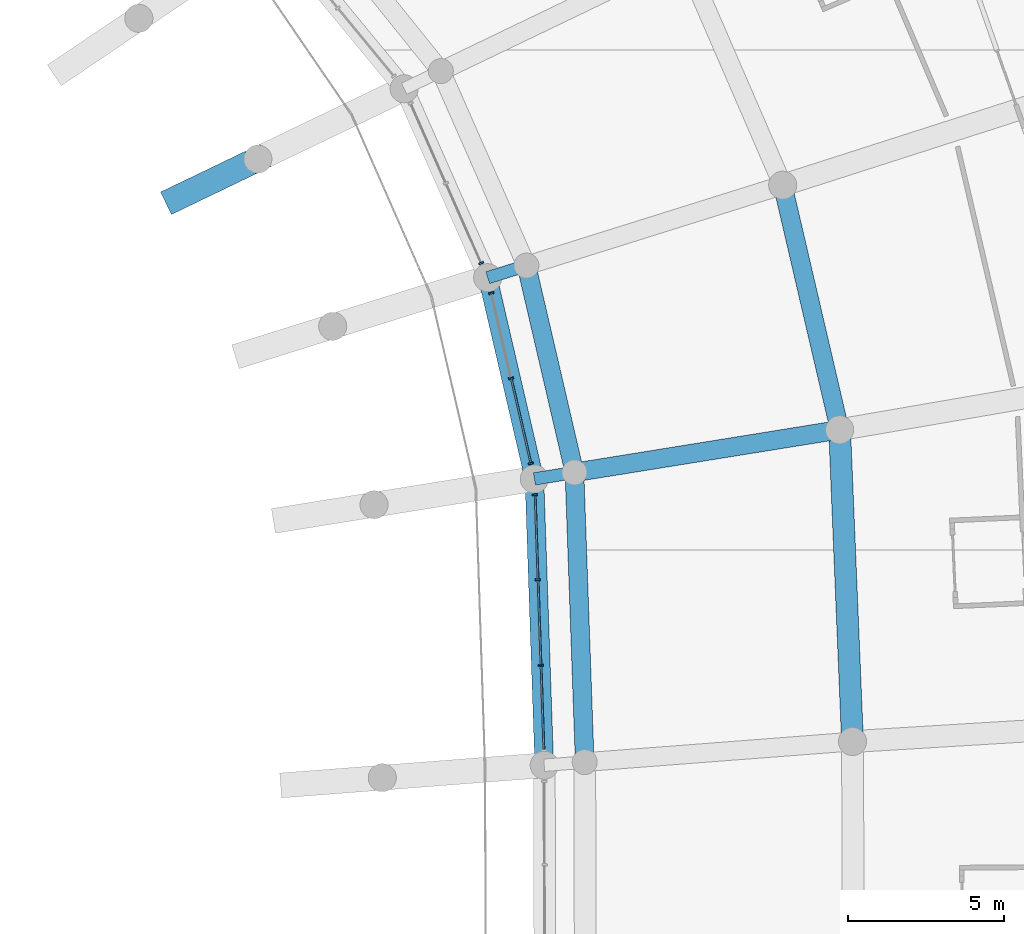
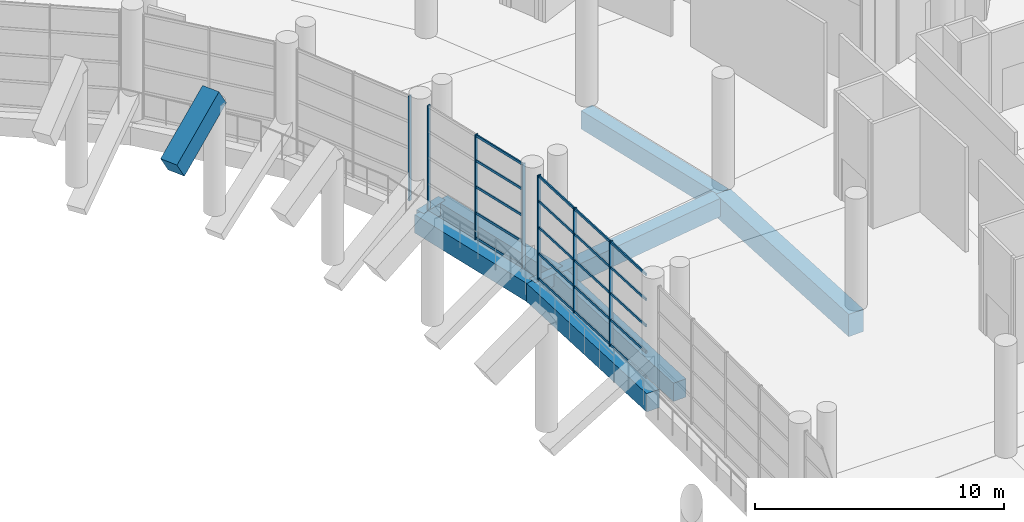
# One storey, part 94 of 271: 27 members, 10 beams, 3 elements without a shape of their own.
"""IFC4 building model written with IfcOpenShell, lengths in metres."""

from ifc_helpers import new_model, si_unit, direction, frame, origin, origin_2d, place, context, subcontext, project, spatial, rectangle, extrude, material, layer, layer_set, material_profile, profile_set, type_object, element, aggregate, save


model = new_model("IFC4")

# Units and contexts
model_context = context("Model", 3, precision=1e-05, world=origin(), true_north=direction((0.0, 1.0)))
body_context = subcontext(model_context, "Body", "Model", "MODEL_VIEW")
ifc_project = project(units=[si_unit("LENGTHUNIT", "METRE"), si_unit("AREAUNIT", "SQUARE_METRE"), si_unit("VOLUMEUNIT", "CUBIC_METRE"), si_unit("PLANEANGLEUNIT", "RADIAN"), si_unit("MASSUNIT", "GRAM", prefix="KILO")], contexts=[model_context])

# Site, building, storey
site_placement = place(None, origin())
site = spatial("IfcSite", under=ifc_project, at=site_placement, CompositionType="ELEMENT")
building_placement = place(site_placement, origin())
building = spatial("IfcBuilding", under=site, at=building_placement, Name="Meseta Stadium", CompositionType="ELEMENT")
storey_placement = place(building_placement, frame((0.0, 0.0, 6.5)))
storey = spatial("IfcBuildingStorey", under=building, at=storey_placement, Name="L01", CompositionType="ELEMENT", Elevation=6.5)

# Curtain wall, members
ifc_material_1 = material(Name="Aluminium", Category="aluminium")
ifc_layer = layer(ifc_material_1, 0.199951171875)
ifc_layer_set = layer_set([ifc_layer], Name="Club glazing curtain wall")
curtain_wall_type = type_object("IfcCurtainWallType", Name="Club glazing curtain wall", PredefinedType="NOTDEFINED", material=ifc_layer_set)
curtain_wall_1_placement = place(storey_placement, origin())
curtain_wall_1 = element("IfcCurtainWall", 1, at=curtain_wall_1_placement, inside=storey, type_object=curtain_wall_type, Name="Club glazing bay 08", PredefinedType="NOTDEFINED")
ifc_material_2 = material(Name="Aluminium", Category="aluminium")
ifc_material_profile_1 = material_profile(ifc_material_2, rectangle(XDim=0.159912109375, YDim=0.06005859375, at=origin_2d()), Name="CW 160x60")
ifc_profile_set_1 = profile_set([ifc_material_profile_1], Name="Aluminium")
member_type_1 = type_object("IfcMemberType", Name="CW mullion 60x160", PredefinedType="MULLION", material=ifc_profile_set_1)
member_1_placement = place(storey_placement, frame((63.423828125, 44.29931640625, 0.0), z_axis=(0.0, 0.0, 1.0), x_axis=(-0.999408203812, -0.034398287063, 0.0)))
member_1 = element("IfcMember", 2, at=member_1_placement, type_object=member_type_1, Name="CWC mullion 2", PredefinedType="MULLION", context=body_context, shape_type="SweptSolid", body=[
    extrude(rectangle(XDim=0.159912109375, YDim=0.06005859375, at=origin_2d()), origin(), (0.0, 0.0, 1.0), 5.14990234375),
])
member_2_placement = place(storey_placement, frame((63.329345703125, 47.044921875, 0.0), z_axis=(0.0, 0.0, 1.0), x_axis=(-0.999408203812, -0.034398287063, 0.0)))
member_2 = element("IfcMember", 3, at=member_2_placement, type_object=member_type_1, Name="CWC mullion 3", PredefinedType="MULLION", context=body_context, shape_type="SweptSolid", body=[
    extrude(rectangle(XDim=0.159912109375, YDim=0.06005859375, at=origin_2d()), origin(), (0.0, 0.0, 1.0), 5.14990234375),
])
member_3_placement = place(storey_placement, frame((63.23583984375, 49.760498046875, 0.0), z_axis=(0.0, 0.0, 1.0), x_axis=(-0.999408203812, -0.034398287063, 0.0)))
member_3 = element("IfcMember", 4, at=member_3_placement, type_object=member_type_1, Name="CWC mullion 4", PredefinedType="MULLION", context=body_context, shape_type="SweptSolid", body=[
    extrude(rectangle(XDim=0.159912109375, YDim=0.06005859375, at=origin_2d()), origin(), (0.0, 0.0, 1.0), 5.14990234375),
])

curtain_wall_2_placement = place(storey_placement, origin())
curtain_wall_2 = element("IfcCurtainWall", 5, at=curtain_wall_2_placement, inside=storey, type_object=curtain_wall_type, Name="Club glazing bay 09", PredefinedType="NOTDEFINED")
member_4_placement = place(storey_placement, frame((63.102783203125, 50.769775390625, 0.0), z_axis=(0.0, 0.0, 1.0), x_axis=(-0.974116107399, -0.226048245529, 0.0)))
member_4 = element("IfcMember", 6, at=member_4_placement, type_object=member_type_1, Name="CWC mullion 1", PredefinedType="MULLION", context=body_context, shape_type="SweptSolid", body=[
    extrude(rectangle(XDim=0.159912109375, YDim=0.06005859375, at=origin_2d()), origin(), (0.0, 0.0, 1.0), 5.14990234375),
])
member_5_placement = place(storey_placement, frame((62.470703125, 53.494140625, 0.0), z_axis=(0.0, 0.0, 1.0), x_axis=(-0.974116107399, -0.226048245529, 0.0)))
member_5 = element("IfcMember", 7, at=member_5_placement, type_object=member_type_1, Name="CWC mullion 2", PredefinedType="MULLION", context=body_context, shape_type="SweptSolid", body=[
    extrude(rectangle(XDim=0.159912109375, YDim=0.06005859375, at=origin_2d()), origin(), (0.0, 0.0, 1.0), 5.14990234375),
])
member_6_placement = place(storey_placement, frame((61.838623046875, 56.21826171875, 0.0), z_axis=(0.0, 0.0, 1.0), x_axis=(-0.974116107399, -0.226048245529, 0.0)))
member_6 = element("IfcMember", 8, at=member_6_placement, type_object=member_type_1, Name="CWC mullion 3", PredefinedType="MULLION", context=body_context, shape_type="SweptSolid", body=[
    extrude(rectangle(XDim=0.159912109375, YDim=0.06005859375, at=origin_2d()), origin(), (0.0, 0.0, 1.0), 5.14990234375),
])

# Curtain wall, member
curtain_wall_3_placement = place(storey_placement, origin())
curtain_wall_3 = element("IfcCurtainWall", 9, at=curtain_wall_3_placement, inside=storey, type_object=curtain_wall_type, Name="Club glazing bay 10", PredefinedType="NOTDEFINED")
member_7_placement = place(storey_placement, frame((61.51611328125, 57.183837890625, 0.0), z_axis=(0.0, 0.0, 1.0), x_axis=(-0.914657215102, -0.404230353712, 0.0)))
member_7 = element("IfcMember", 10, at=member_7_placement, type_object=member_type_1, Name="CWC mullion 1", PredefinedType="MULLION", context=body_context, shape_type="SweptSolid", body=[
    extrude(rectangle(XDim=0.159912109375, YDim=0.06005859375, at=origin_2d()), origin(), (0.0, 0.0, 1.0), 5.14990234375),
])
aggregate(curtain_wall_3, [member_7])

# Member
ifc_material_3 = material(Name="Aluminium", Category="aluminium")
ifc_material_profile_2 = material_profile(ifc_material_3, rectangle(XDim=0.06005859375, YDim=0.1201171875, at=origin_2d()), Name="CW 60x120")
ifc_profile_set_2 = profile_set([ifc_material_profile_2], Name="Aluminium")
member_type_2 = type_object("IfcMemberType", Name="CW transom 60x120", PredefinedType="USERDEFINED", material=ifc_profile_set_2)
member_8_placement = place(storey_placement, frame((63.51611328125, 41.61376953125, 0.06005859375), z_axis=(-0.034364172763, 0.999409377398, 0.0), x_axis=(-0.999409377398, -0.034364172763, 0.0)))
member_8 = element("IfcMember", 11, at=member_8_placement, type_object=member_type_2, Name="CWC transom 1.1", ObjectType="TRANSOM", PredefinedType="USERDEFINED", context=body_context, shape_type="SweptSolid", body=[
    extrude(rectangle(XDim=0.06005859375, YDim=0.1201171875, at=origin_2d()), origin(), (0.0, 0.0, 1.0), 2.656982421875),
])

member_9_placement = place(storey_placement, frame((63.51611328125, 41.61376953125, 1.28759765625), z_axis=(-0.034364172763, 0.999409377398, 0.0), x_axis=(-0.999409377398, -0.034364172763, 0.0)))
member_9 = element("IfcMember", 12, at=member_9_placement, type_object=member_type_2, Name="CWC transom 1.2", ObjectType="TRANSOM", PredefinedType="USERDEFINED", context=body_context, shape_type="SweptSolid", body=[
    extrude(rectangle(XDim=0.06005859375, YDim=0.1201171875, at=origin_2d()), origin(), (0.0, 0.0, 1.0), 2.656982421875),
])

member_10_placement = place(storey_placement, frame((63.51611328125, 41.61376953125, 2.574951171875), z_axis=(-0.034364172763, 0.999409377398, 0.0), x_axis=(-0.999409377398, -0.034364172763, 0.0)))
member_10 = element("IfcMember", 13, at=member_10_placement, type_object=member_type_2, Name="CWC transom 1.3", ObjectType="TRANSOM", PredefinedType="USERDEFINED", context=body_context, shape_type="SweptSolid", body=[
    extrude(rectangle(XDim=0.06005859375, YDim=0.1201171875, at=origin_2d()), origin(), (0.0, 0.0, 1.0), 2.656982421875),
])

member_11_placement = place(storey_placement, frame((63.51611328125, 41.61376953125, 3.862548828125), z_axis=(-0.034364172763, 0.999409377398, 0.0), x_axis=(-0.999409377398, -0.034364172763, 0.0)))
member_11 = element("IfcMember", 14, at=member_11_placement, type_object=member_type_2, Name="CWC transom 1.4", ObjectType="TRANSOM", PredefinedType="USERDEFINED", context=body_context, shape_type="SweptSolid", body=[
    extrude(rectangle(XDim=0.06005859375, YDim=0.1201171875, at=origin_2d()), origin(), (0.0, 0.0, 1.0), 2.656982421875),
])

member_12_placement = place(storey_placement, frame((63.51611328125, 41.61376953125, 5.090087890625), z_axis=(-0.034364172763, 0.999409377398, 0.0), x_axis=(-0.999409377398, -0.034364172763, 0.0)))
member_12 = element("IfcMember", 15, at=member_12_placement, type_object=member_type_2, Name="CWC transom 1.5", ObjectType="TRANSOM", PredefinedType="USERDEFINED", context=body_context, shape_type="SweptSolid", body=[
    extrude(rectangle(XDim=0.06005859375, YDim=0.1201171875, at=origin_2d()), origin(), (0.0, 0.0, 1.0), 2.656982421875),
])

member_13_placement = place(storey_placement, frame((63.422607421875, 44.329345703125, 0.06005859375), z_axis=(-0.034343365002, 0.999410092645, 0.0), x_axis=(-0.999410092645, -0.034343365002, 0.0)))
member_13 = element("IfcMember", 16, at=member_13_placement, type_object=member_type_2, Name="CWC transom 2.1", ObjectType="TRANSOM", PredefinedType="USERDEFINED", context=body_context, shape_type="SweptSolid", body=[
    extrude(rectangle(XDim=0.06005859375, YDim=0.1201171875, at=origin_2d()), origin(), (0.0, 0.0, 1.0), 2.68701171875),
])

member_14_placement = place(storey_placement, frame((63.422607421875, 44.329345703125, 1.28759765625), z_axis=(-0.034343365002, 0.999410092645, 0.0), x_axis=(-0.999410092645, -0.034343365002, 0.0)))
member_14 = element("IfcMember", 17, at=member_14_placement, type_object=member_type_2, Name="CWC transom 2.2", ObjectType="TRANSOM", PredefinedType="USERDEFINED", context=body_context, shape_type="SweptSolid", body=[
    extrude(rectangle(XDim=0.06005859375, YDim=0.1201171875, at=origin_2d()), origin(), (0.0, 0.0, 1.0), 2.68701171875),
])

member_15_placement = place(storey_placement, frame((63.422607421875, 44.329345703125, 2.574951171875), z_axis=(-0.034343365002, 0.999410092645, 0.0), x_axis=(-0.999410092645, -0.034343365002, 0.0)))
member_15 = element("IfcMember", 18, at=member_15_placement, type_object=member_type_2, Name="CWC transom 2.3", ObjectType="TRANSOM", PredefinedType="USERDEFINED", context=body_context, shape_type="SweptSolid", body=[
    extrude(rectangle(XDim=0.06005859375, YDim=0.1201171875, at=origin_2d()), origin(), (0.0, 0.0, 1.0), 2.68701171875),
])

member_16_placement = place(storey_placement, frame((63.422607421875, 44.329345703125, 3.862548828125), z_axis=(-0.034343365002, 0.999410092645, 0.0), x_axis=(-0.999410092645, -0.034343365002, 0.0)))
member_16 = element("IfcMember", 19, at=member_16_placement, type_object=member_type_2, Name="CWC transom 2.4", ObjectType="TRANSOM", PredefinedType="USERDEFINED", context=body_context, shape_type="SweptSolid", body=[
    extrude(rectangle(XDim=0.06005859375, YDim=0.1201171875, at=origin_2d()), origin(), (0.0, 0.0, 1.0), 2.68701171875),
])

member_17_placement = place(storey_placement, frame((63.422607421875, 44.329345703125, 5.090087890625), z_axis=(-0.034343365002, 0.999410092645, 0.0), x_axis=(-0.999410092645, -0.034343365002, 0.0)))
member_17 = element("IfcMember", 20, at=member_17_placement, type_object=member_type_2, Name="CWC transom 2.5", ObjectType="TRANSOM", PredefinedType="USERDEFINED", context=body_context, shape_type="SweptSolid", body=[
    extrude(rectangle(XDim=0.06005859375, YDim=0.1201171875, at=origin_2d()), origin(), (0.0, 0.0, 1.0), 2.68701171875),
])

member_18_placement = place(storey_placement, frame((63.328125, 47.074951171875, 0.06005859375), z_axis=(-0.034361017441, 0.999409485887, 0.0), x_axis=(-0.999409485887, -0.034361017441, 0.0)))
member_18 = element("IfcMember", 21, at=member_18_placement, type_object=member_type_2, Name="CWC transom 3.1", ObjectType="TRANSOM", PredefinedType="USERDEFINED", context=body_context, shape_type="SweptSolid", body=[
    extrude(rectangle(XDim=0.06005859375, YDim=0.1201171875, at=origin_2d()), origin(), (0.0, 0.0, 1.0), 2.6572265625),
])

member_19_placement = place(storey_placement, frame((63.328125, 47.074951171875, 1.28759765625), z_axis=(-0.034361017441, 0.999409485887, 0.0), x_axis=(-0.999409485887, -0.034361017441, 0.0)))
member_19 = element("IfcMember", 22, at=member_19_placement, type_object=member_type_2, Name="CWC transom 3.2", ObjectType="TRANSOM", PredefinedType="USERDEFINED", context=body_context, shape_type="SweptSolid", body=[
    extrude(rectangle(XDim=0.06005859375, YDim=0.1201171875, at=origin_2d()), origin(), (0.0, 0.0, 1.0), 2.6572265625),
])

member_20_placement = place(storey_placement, frame((63.328125, 47.074951171875, 2.574951171875), z_axis=(-0.034361017441, 0.999409485887, 0.0), x_axis=(-0.999409485887, -0.034361017441, 0.0)))
member_20 = element("IfcMember", 23, at=member_20_placement, type_object=member_type_2, Name="CWC transom 3.3", ObjectType="TRANSOM", PredefinedType="USERDEFINED", context=body_context, shape_type="SweptSolid", body=[
    extrude(rectangle(XDim=0.06005859375, YDim=0.1201171875, at=origin_2d()), origin(), (0.0, 0.0, 1.0), 2.6572265625),
])

member_21_placement = place(storey_placement, frame((63.328125, 47.074951171875, 3.862548828125), z_axis=(-0.034361017441, 0.999409485887, 0.0), x_axis=(-0.999409485887, -0.034361017441, 0.0)))
member_21 = element("IfcMember", 24, at=member_21_placement, type_object=member_type_2, Name="CWC transom 3.4", ObjectType="TRANSOM", PredefinedType="USERDEFINED", context=body_context, shape_type="SweptSolid", body=[
    extrude(rectangle(XDim=0.06005859375, YDim=0.1201171875, at=origin_2d()), origin(), (0.0, 0.0, 1.0), 2.6572265625),
])

member_22_placement = place(storey_placement, frame((63.328125, 47.074951171875, 5.090087890625), z_axis=(-0.034361017441, 0.999409485887, 0.0), x_axis=(-0.999409485887, -0.034361017441, 0.0)))
member_22 = element("IfcMember", 25, at=member_22_placement, type_object=member_type_2, Name="CWC transom 3.5", ObjectType="TRANSOM", PredefinedType="USERDEFINED", context=body_context, shape_type="SweptSolid", body=[
    extrude(rectangle(XDim=0.06005859375, YDim=0.1201171875, at=origin_2d()), origin(), (0.0, 0.0, 1.0), 2.6572265625),
])

aggregate(curtain_wall_1, [member_1, member_2, member_3, member_8, member_9, member_10, member_11, member_12, member_13, member_14, member_15, member_16, member_17, member_18, member_19, member_20, member_21, member_22])

member_23_placement = place(storey_placement, frame((63.09619140625, 50.799072265625, 0.06005859375), z_axis=(-0.226064707023, 0.974112287285, 0.0), x_axis=(-0.974112287285, -0.226064707023, 0.0)))
member_23 = element("IfcMember", 26, at=member_23_placement, type_object=member_type_2, Name="CWC transom 1.1", ObjectType="TRANSOM", PredefinedType="USERDEFINED", context=body_context, shape_type="SweptSolid", body=[
    extrude(rectangle(XDim=0.06005859375, YDim=0.1201171875, at=origin_2d()), origin(), (0.0, 0.0, 1.0), 2.736572265625),
])

member_24_placement = place(storey_placement, frame((63.09619140625, 50.799072265625, 1.28759765625), z_axis=(-0.226064707023, 0.974112287285, 0.0), x_axis=(-0.974112287285, -0.226064707023, 0.0)))
member_24 = element("IfcMember", 27, at=member_24_placement, type_object=member_type_2, Name="CWC transom 1.2", ObjectType="TRANSOM", PredefinedType="USERDEFINED", context=body_context, shape_type="SweptSolid", body=[
    extrude(rectangle(XDim=0.06005859375, YDim=0.1201171875, at=origin_2d()), origin(), (0.0, 0.0, 1.0), 2.736572265625),
])

member_25_placement = place(storey_placement, frame((63.09619140625, 50.799072265625, 2.574951171875), z_axis=(-0.226064707023, 0.974112287285, 0.0), x_axis=(-0.974112287285, -0.226064707023, 0.0)))
member_25 = element("IfcMember", 28, at=member_25_placement, type_object=member_type_2, Name="CWC transom 1.3", ObjectType="TRANSOM", PredefinedType="USERDEFINED", context=body_context, shape_type="SweptSolid", body=[
    extrude(rectangle(XDim=0.06005859375, YDim=0.1201171875, at=origin_2d()), origin(), (0.0, 0.0, 1.0), 2.736572265625),
])

member_26_placement = place(storey_placement, frame((63.09619140625, 50.799072265625, 3.862548828125), z_axis=(-0.226064707023, 0.974112287285, 0.0), x_axis=(-0.974112287285, -0.226064707023, 0.0)))
member_26 = element("IfcMember", 29, at=member_26_placement, type_object=member_type_2, Name="CWC transom 1.4", ObjectType="TRANSOM", PredefinedType="USERDEFINED", context=body_context, shape_type="SweptSolid", body=[
    extrude(rectangle(XDim=0.06005859375, YDim=0.1201171875, at=origin_2d()), origin(), (0.0, 0.0, 1.0), 2.736572265625),
])

member_27_placement = place(storey_placement, frame((63.09619140625, 50.799072265625, 5.090087890625), z_axis=(-0.226064707023, 0.974112287285, 0.0), x_axis=(-0.974112287285, -0.226064707023, 0.0)))
member_27 = element("IfcMember", 30, at=member_27_placement, type_object=member_type_2, Name="CWC transom 1.5", ObjectType="TRANSOM", PredefinedType="USERDEFINED", context=body_context, shape_type="SweptSolid", body=[
    extrude(rectangle(XDim=0.06005859375, YDim=0.1201171875, at=origin_2d()), origin(), (0.0, 0.0, 1.0), 2.736572265625),
])

aggregate(curtain_wall_2, [member_4, member_5, member_6, member_23, member_24, member_25, member_26, member_27])

# Beams
ifc_material_4 = material(Name="Concrete C40/50", Category="concrete")
ifc_material_profile_3 = material_profile(ifc_material_4, rectangle(XDim=0.39990234375, YDim=0.60009765625, at=origin_2d()), Name="RC 400x600")
ifc_profile_set_3 = profile_set([ifc_material_profile_3], Name="Concrete C40/50")
beam_type_1 = type_object("IfcBeamType", Name="RC beam 400x600", PredefinedType="BEAM", material=ifc_profile_set_3)
for number, where, z_axis, x_axis, name in (
    (31, (63.21826171875, 50.27294921875, -0.64990234375), (0.98726777227, 0.159067111111, 0.0), (-0.159067111111, 0.98726777227, 0.0), "L01 radial beam frame 9 line C to D"),
    (32, (61.72314453125, 56.715576171875, -0.64990234375), (0.954202212312, 0.299162394059, 0.0), (-0.299162394059, 0.954202212312, 0.0), "L01 radial beam frame 10 line C to D"),
):
    element("IfcBeam", number, at=place(storey_placement, frame(where, z_axis=z_axis, x_axis=x_axis)), inside=storey, type_object=beam_type_1, Name=name, PredefinedType="BEAM", context=body_context, shape_type="SweptSolid", body=[
        extrude(rectangle(XDim=0.39990234375, YDim=0.60009765625, at=origin_2d()), origin(), (0.0, 0.0, 1.0), 1.300048828125),
    ])
ifc_material_5 = material(Name="Concrete C40/50", Category="concrete")
ifc_material_profile_4 = material_profile(ifc_material_5, rectangle(XDim=0.60009765625, YDim=0.89990234375, at=origin_2d()), Name="RC 600x900")
ifc_profile_set_4 = profile_set([ifc_material_profile_4], Name="Concrete C40/50")
beam_type_2 = type_object("IfcBeamType", Name="RC beam 600x900", PredefinedType="BEAM", material=ifc_profile_set_4)
beam_1_placement = place(storey_placement, frame((63.53369140625, 41.1044921875, -0.800048828125), z_axis=(-0.034383449406, 0.999408714394, 0.0), x_axis=(-0.999408714394, -0.034383449406, 0.0)))
element("IfcBeam", 33, at=beam_1_placement, inside=storey, type_object=beam_type_2, Name="L01 ring beam frame 8 line C", PredefinedType="BEAM", context=body_context, shape_type="SweptSolid", body=[
    extrude(rectangle(XDim=0.60009765625, YDim=0.89990234375, at=origin_2d()), origin(), (0.0, 0.0, 1.0), 9.173828125),
])
beam_2_placement = place(storey_placement, frame((64.829833984375, 41.2041015625, -0.800048828125), z_axis=(-0.035352824386, 0.999374893525, 0.0), x_axis=(-0.999374893525, -0.035352824386, 0.0)))
element("IfcBeam", 34, at=beam_2_placement, inside=storey, type_object=beam_type_2, Name="L01 ring beam frame 8 line D", PredefinedType="BEAM", context=body_context, shape_type="SweptSolid", body=[
    extrude(rectangle(XDim=0.60009765625, YDim=0.89990234375, at=origin_2d()), origin(), (0.0, 0.0, 1.0), 9.281494140625),
])
beam_3_placement = place(storey_placement, frame((63.21826171875, 50.27294921875, -0.800048828125), z_axis=(-0.226059029022, 0.974113604975, 0.0), x_axis=(-0.974113604975, -0.226059029022, 0.0)))
element("IfcBeam", 35, at=beam_3_placement, inside=storey, type_object=beam_type_2, Name="L01 ring beam frame 9 line C", PredefinedType="BEAM", context=body_context, shape_type="SweptSolid", body=[
    extrude(rectangle(XDim=0.60009765625, YDim=0.89990234375, at=origin_2d()), origin(), (0.0, 0.0, 1.0), 6.61376953125),
])
beam_4_placement = place(storey_placement, frame((64.501708984375, 50.479736328125, -0.800048828125), z_axis=(-0.226157078617, 0.974090845759, 0.0), x_axis=(-0.974090845759, -0.226157078617, 0.0)))
element("IfcBeam", 36, at=beam_4_placement, inside=storey, type_object=beam_type_2, Name="L01 ring beam frame 9 line D", PredefinedType="BEAM", context=body_context, shape_type="SweptSolid", body=[
    extrude(rectangle(XDim=0.60009765625, YDim=0.89990234375, at=origin_2d()), origin(), (0.0, 0.0, 1.0), 6.801025390625),
])
beam_5_placement = place(storey_placement, frame((72.9921875, 51.84716796875, -0.800048828125), z_axis=(-0.226697740265, 0.973965160855, 0.0), x_axis=(-0.973965160855, -0.226697740265, 0.0)))
element("IfcBeam", 37, at=beam_5_placement, inside=storey, type_object=beam_type_2, Name="L01 ring beam frame 9 line E", PredefinedType="BEAM", context=body_context, shape_type="SweptSolid", body=[
    extrude(rectangle(XDim=0.60009765625, YDim=0.89990234375, at=origin_2d()), origin(), (0.0, 0.0, 1.0), 8.039306640625),
])
beam_6_placement = place(storey_placement, frame((64.501708984375, 50.479736328125, -0.800048828125), z_axis=(0.987277660392, 0.159005727229, 0.0), x_axis=(-0.159005727229, 0.987277660392, 0.0)))
element("IfcBeam", 38, at=beam_6_placement, inside=storey, type_object=beam_type_2, Name="L01 radial beam frame 9 line D to E", PredefinedType="BEAM", context=body_context, shape_type="SweptSolid", body=[
    extrude(rectangle(XDim=0.60009765625, YDim=0.89990234375, at=origin_2d()), origin(), (0.0, 0.0, 1.0), 8.599853515625),
])
ifc_material_6 = material(Name="Concrete C40/50", Category="concrete")
ifc_material_profile_5 = material_profile(ifc_material_6, rectangle(XDim=0.699951171875, YDim=1.10009765625, at=origin_2d()), Name="RC 700x1100")
ifc_profile_set_5 = profile_set([ifc_material_profile_5], Name="Concrete C40/50")
beam_type_3 = type_object("IfcBeamType", Name="RC beam 700x1100", PredefinedType="BEAM", material=ifc_profile_set_5)
beam_7_placement = place(storey_placement, frame((73.40478515625, 41.8623046875, -0.89990234375), z_axis=(-0.041287079546, 0.999147325004, 0.0), x_axis=(-0.999147325004, -0.041287079546, 0.0)))
element("IfcBeam", 39, at=beam_7_placement, inside=storey, type_object=beam_type_3, Name="L01 ring beam frame 8 line E", PredefinedType="BEAM", context=body_context, shape_type="SweptSolid", body=[
    extrude(rectangle(XDim=0.699951171875, YDim=1.10009765625, at=origin_2d()), origin(), (0.0, 0.0, 1.0), 9.993408203125),
])
ifc_material_7 = material(Name="Concrete C40/50", Category="concrete")
ifc_material_profile_6 = material_profile(ifc_material_7, rectangle(XDim=0.800048828125, YDim=1.0, at=origin_2d()), Name="RC 800x1000")
ifc_profile_set_6 = profile_set([ifc_material_profile_6], Name="Concrete C40/50")
beam_type_4 = type_object("IfcBeamType", Name="RC raker upper front 800x1000", PredefinedType="USERDEFINED", material=ifc_profile_set_6)
beam_8_placement = place(storey_placement, frame((51.66064453125, 59.213134765625, 3.830810546875), z_axis=(0.764769974401, 0.367813336072, 0.528999277941), x_axis=(-0.433424089066, 0.901190079294, 0.0)))
element("IfcBeam", 40, at=beam_8_placement, inside=storey, type_object=beam_type_4, Name="Raker upper front frame 11 upper tier", ObjectType="RAKER", PredefinedType="USERDEFINED", context=body_context, shape_type="SweptSolid", body=[
    extrude(rectangle(XDim=0.800048828125, YDim=1.0, at=origin_2d()), origin(), (0.0, 0.0, 1.0), 3.53515625),
])

save(model, "model.ifc")
